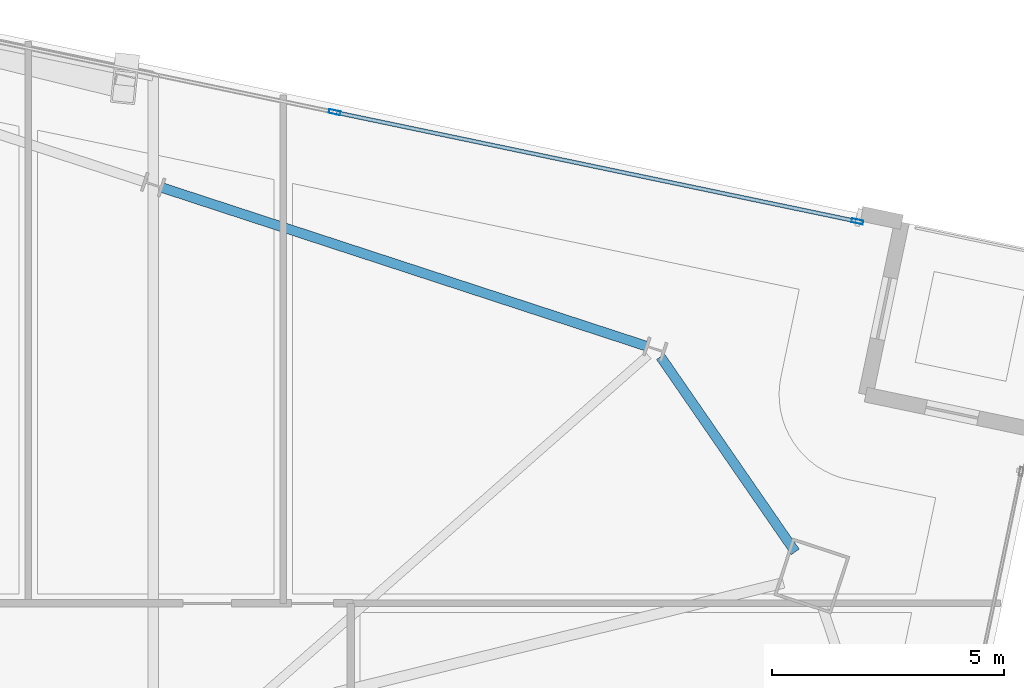
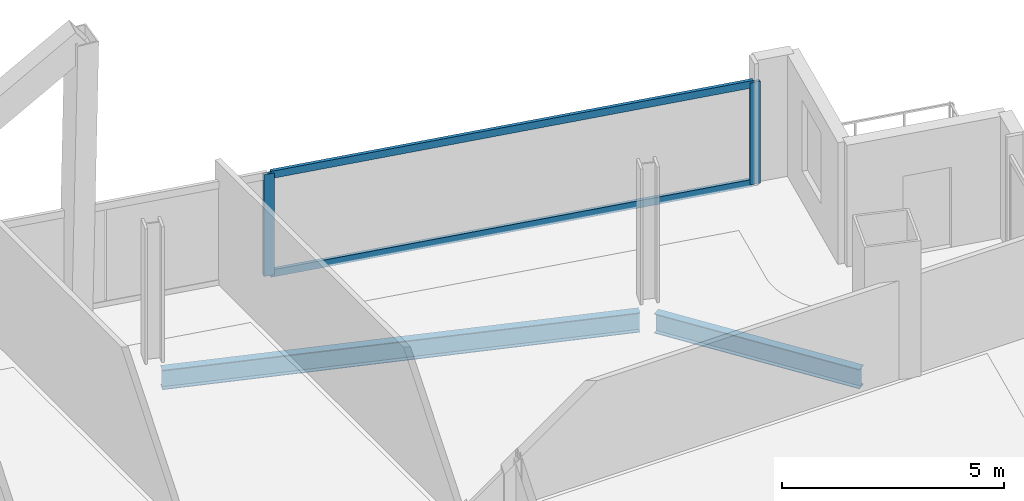
# One storey, part 15 of 24: 4 members, 2 beams, 1 element without a shape of its own.
"""IFC4 building model written with IfcOpenShell, lengths in metres."""

from ifc_helpers import new_model, si_unit, direction, frame, origin, origin_2d, place, context, subcontext, project, spatial, hollow_rectangle, i_section, extrude, material, material_profile, profile_set, type_object, element, aggregate, save


model = new_model("IFC4")

# Units and contexts
model_context = context("Model", 3, precision=1e-05, world=origin(), true_north=direction((0.0, 1.0)))
body_context = subcontext(model_context, "Body", "Model", "MODEL_VIEW")
ifc_project = project(units=[si_unit("LENGTHUNIT", "METRE"), si_unit("AREAUNIT", "SQUARE_METRE"), si_unit("VOLUMEUNIT", "CUBIC_METRE"), si_unit("PLANEANGLEUNIT", "RADIAN"), si_unit("MASSUNIT", "GRAM", prefix="KILO")], contexts=[model_context])

# Site, building, storey
site_placement = place(None, origin())
site = spatial("IfcSite", under=ifc_project, at=site_placement, CompositionType="ELEMENT")
building_placement = place(site_placement, origin())
building = spatial("IfcBuilding", under=site, at=building_placement, Name="Haldenkirk Collegiate Tower", CompositionType="ELEMENT")
storey_placement = place(building_placement, frame((0.0, 0.0, 289.949951171875)))
storey = spatial("IfcBuildingStorey", under=building, at=storey_placement, Name="L73", CompositionType="ELEMENT", Elevation=289.949951171875)

# Beams
ifc_material_1 = material(Name="Steel ASTM A992 Grade 50", Category="steel")
ifc_material_profile_1 = material_profile(ifc_material_1, i_section(OverallWidth=0.2099609375, OverallDepth=0.537109375, WebThickness=0.010986328125, FlangeThickness=0.017333984375, at=origin_2d()), Name="W21X68")
ifc_profile_set_1 = profile_set([ifc_material_profile_1], Name="Steel ASTM A992 Grade 50")
beam_type = type_object("IfcBeamType", Name="BM-SPANDREL-W21X68", PredefinedType="SPANDREL", material=ifc_profile_set_1)
beam_1_placement = place(storey_placement, frame((57.037841796875, 37.56201171875, -0.538330078125), z_axis=(-0.568092176681, 0.822964931692, 0.0), x_axis=(-0.822964931692, -0.568092176681, 0.0)))
element("IfcBeam", 1, at=beam_1_placement, inside=storey, type_object=beam_type, Name="L73 perimeter spandrel beam 05", PredefinedType="SPANDREL", context=body_context, shape_type="SweptSolid", body=[
    extrude(i_section(OverallWidth=0.2099609375, OverallDepth=0.537109375, WebThickness=0.010986328125, FlangeThickness=0.017333984375, at=origin_2d()), origin(), (0.0, 0.0, 1.0), 5.11328125),
])
beam_2_placement = place(storey_placement, frame((53.825439453125, 41.99951171875, -0.538330078125), z_axis=(-0.950402144652, 0.311023734531, 0.0), x_axis=(-0.311023734531, -0.950402144652, 0.0)))
element("IfcBeam", 2, at=beam_2_placement, inside=storey, type_object=beam_type, Name="L73 perimeter spandrel beam 06", PredefinedType="SPANDREL", context=body_context, shape_type="SweptSolid", body=[
    extrude(i_section(OverallWidth=0.2099609375, OverallDepth=0.537109375, WebThickness=0.010986328125, FlangeThickness=0.017333984375, at=origin_2d()), origin(), (0.0, 0.0, 1.0), 10.98779296875),
])

# Curtain wall, members
ifc_material_2 = material(Name="Anodised architectural bronze aluminium", Category="aluminium")
curtain_wall_type = type_object("IfcCurtainWallType", Name="CW-SYS1B-CONVEX-HI", PredefinedType="USERDEFINED", material=ifc_material_2)
curtain_wall_placement = place(storey_placement, origin())
curtain_wall = element("IfcCurtainWall", 3, at=curtain_wall_placement, inside=storey, type_object=curtain_wall_type, Name="L73 Upper tower high-wind convex bronze unitised curtain wall", ObjectType="UNITISED CURTAIN WALL", PredefinedType="USERDEFINED")
ifc_material_profile_2 = material_profile(ifc_material_2, hollow_rectangle(XDim=0.0849609375, YDim=0.25, WallThickness=0.0048828125, at=origin_2d()), Name="CW-MUL-1B")
ifc_profile_set_2 = profile_set([ifc_material_profile_2], Name="Anodised architectural bronze aluminium")
member_type_1 = type_object("IfcMemberType", Name="CW-MUL-1B", PredefinedType="MULLION", material=ifc_profile_set_2)
member_1_placement = place(storey_placement, frame((47.104736328125, 47.0439453125, 0.0), z_axis=(0.0, 0.0, 1.0), x_axis=(0.204496189491, 0.978867360005, 0.0)))
member_1 = element("IfcMember", 4, at=member_1_placement, type_object=member_type_1, Name="CW-1B mullion 3", PredefinedType="MULLION", context=body_context, shape_type="SweptSolid", body=[
    extrude(hollow_rectangle(XDim=0.0849609375, YDim=0.25, WallThickness=0.0048828125, at=origin_2d()), origin(), (0.0, 0.0, 1.0), 2.798095703125),
])
member_2_placement = place(storey_placement, frame((58.377197265625, 44.68896484375, 0.0), z_axis=(0.0, 0.0, 1.0), x_axis=(0.204496189491, 0.978867360005, 0.0)))
member_2 = element("IfcMember", 5, at=member_2_placement, type_object=member_type_1, Name="CW-1B mullion 4", PredefinedType="MULLION", context=body_context, shape_type="SweptSolid", body=[
    extrude(hollow_rectangle(XDim=0.0849609375, YDim=0.25, WallThickness=0.0048828125, at=origin_2d()), origin(), (0.0, 0.0, 1.0), 2.798095703125),
])
ifc_material_profile_3 = material_profile(ifc_material_2, hollow_rectangle(XDim=0.0849609375, YDim=0.199951171875, WallThickness=0.0048828125, at=origin_2d()), Name="CW-TRN-1B")
ifc_profile_set_3 = profile_set([ifc_material_profile_3], Name="Anodised architectural bronze aluminium")
member_type_2 = type_object("IfcMemberType", Name="CW-TRN-1B", PredefinedType="USERDEFINED", material=ifc_profile_set_3)
member_3_placement = place(storey_placement, frame((47.146240234375, 47.03515625, 0.04248046875), z_axis=(0.97886654931, -0.204500070031, 0.0), x_axis=(0.204500070031, 0.97886654931, 0.0)))
member_3 = element("IfcMember", 6, at=member_3_placement, type_object=member_type_2, Name="CW-1B transom 3.1", ObjectType="TRANSOM", PredefinedType="USERDEFINED", context=body_context, shape_type="SweptSolid", body=[
    extrude(hollow_rectangle(XDim=0.0849609375, YDim=0.199951171875, WallThickness=0.0048828125, at=origin_2d()), origin(), (0.0, 0.0, 1.0), 11.430908203125),
])
member_4_placement = place(storey_placement, frame((47.146240234375, 47.03515625, 2.755615234375), z_axis=(0.97886654931, -0.204500070031, 0.0), x_axis=(0.204500070031, 0.97886654931, 0.0)))
member_4 = element("IfcMember", 7, at=member_4_placement, type_object=member_type_2, Name="CW-1B transom 3.2", ObjectType="TRANSOM", PredefinedType="USERDEFINED", context=body_context, shape_type="SweptSolid", body=[
    extrude(hollow_rectangle(XDim=0.0849609375, YDim=0.199951171875, WallThickness=0.0048828125, at=origin_2d()), origin(), (0.0, 0.0, 1.0), 11.430908203125),
])
aggregate(curtain_wall, [member_1, member_2, member_3, member_4])

save(model, "model.ifc")
